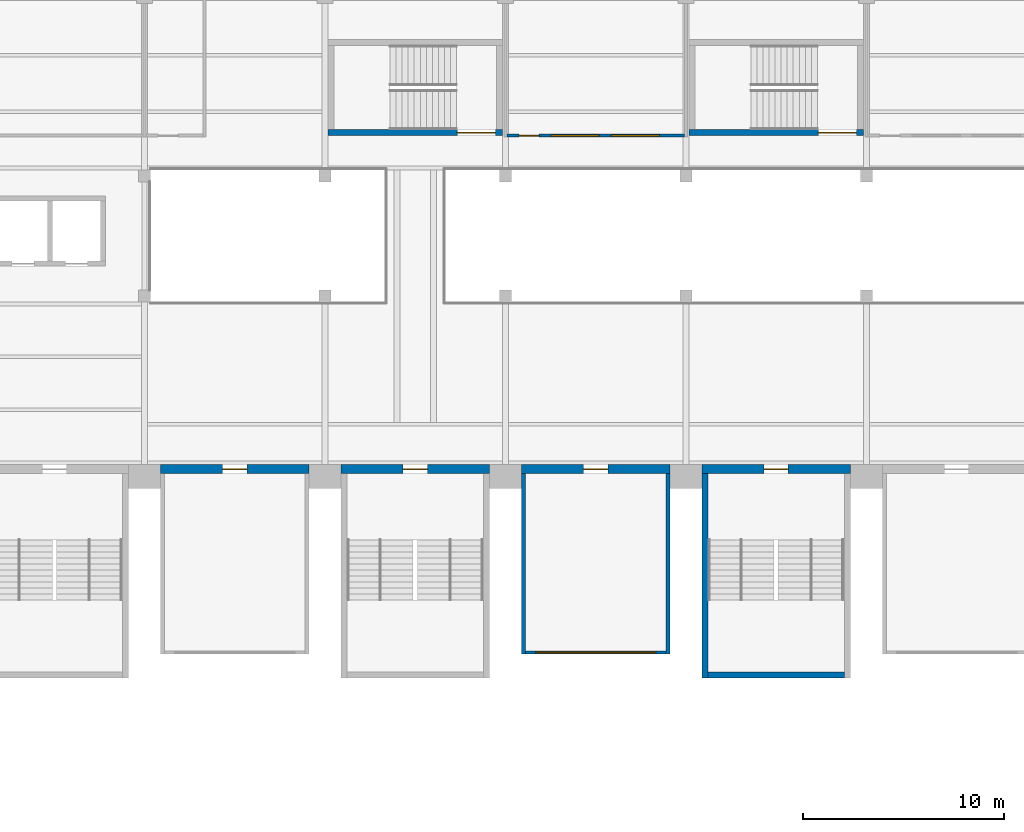
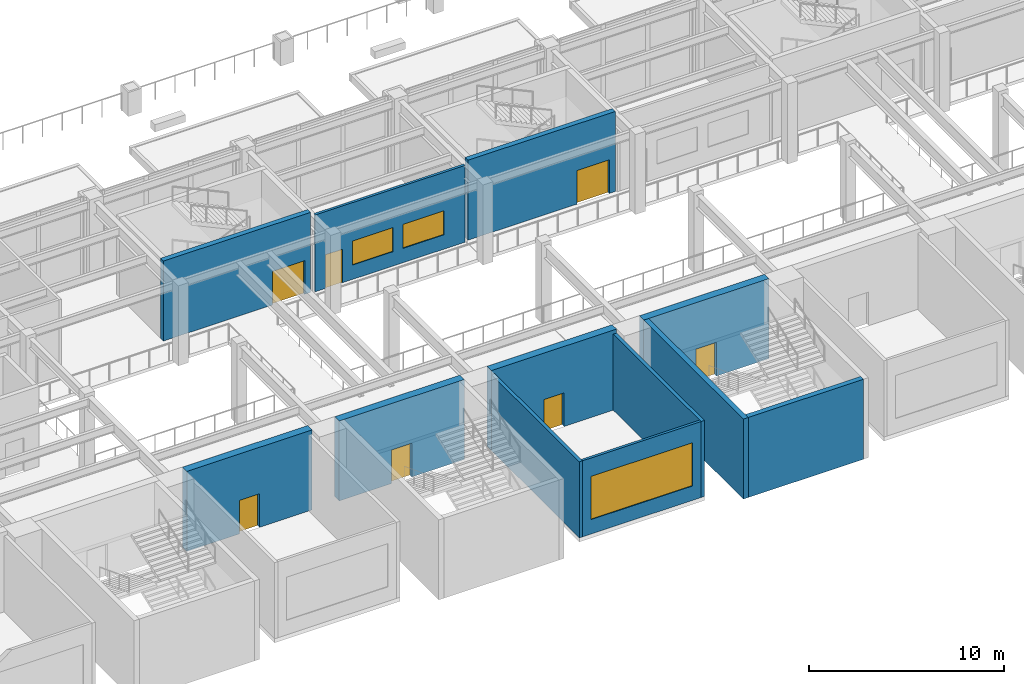
# One storey, part 37 of 67: 12 walls, 7 doors, 3 windows, 10 openings.
"""IFC4 building model written with IfcOpenShell, lengths in metres."""

from ifc_helpers import new_model, si_unit, direction, frame, frame_2d, origin, place, context, subcontext, project, spatial, rectangle, extrude, material, layer, layer_set, type_object, element, fill, save


model = new_model("IFC4")

# Units and contexts
model_context = context("Model", 3, precision=1e-05, world=origin(), true_north=direction((0.0, 1.0)))
body_context = subcontext(model_context, "Body", "Model", "MODEL_VIEW")
ifc_project = project(units=[si_unit("LENGTHUNIT", "METRE"), si_unit("AREAUNIT", "SQUARE_METRE"), si_unit("VOLUMEUNIT", "CUBIC_METRE"), si_unit("PLANEANGLEUNIT", "RADIAN"), si_unit("MASSUNIT", "GRAM", prefix="KILO")], contexts=[model_context])

# Site, building, storey
site_placement = place(None, origin())
site = spatial("IfcSite", under=ifc_project, at=site_placement, CompositionType="ELEMENT")
building_placement = place(site_placement, origin())
building = spatial("IfcBuilding", under=site, at=building_placement, Name="Aravalli Gate Trade Fair Centre", CompositionType="ELEMENT")
storey_placement = place(building_placement, frame((0.0, 0.0, 5.0)))
storey = spatial("IfcBuildingStorey", under=building, at=storey_placement, Name="L01", CompositionType="ELEMENT", Elevation=5.0)

# Wall, opening, door
ifc_material_1 = material(Name="Concrete M40", Category="concrete")
ifc_layer_1 = layer(ifc_material_1, 0.25, Name="Structural wall")
ifc_material_2 = material(Name="Ventilated air cavity")
ifc_layer_2 = layer(ifc_material_2, 0.10009765625, ventilated=True, Name="Ventilated cavity")
ifc_material_3 = material(Name="Terracotta rainscreen", Category="masonry")
ifc_layer_3 = layer(ifc_material_3, 0.10009765625, Name="Rainscreen cladding")
ifc_layer_set_1 = layer_set([ifc_layer_1, ifc_layer_2, ifc_layer_3], Name="Hall external wall 450")
wall_type_1 = type_object("IfcWallType", Name="Hall external wall 450", PredefinedType="SOLIDWALL", material=ifc_layer_set_1)
wall_1_placement = place(storey_placement, frame((24.800048828125, 109.375, 0.0), z_axis=(0.0, 0.0, 1.0), x_axis=(1.0, 0.0, 0.0)))
wall_1 = element("IfcWall", 1, at=wall_1_placement, inside=storey, type_object=wall_type_1, Name="Hall north wall bay 3 L01", PredefinedType="SOLIDWALL", context=body_context, shape_type="SweptSolid", body=[
    extrude(rectangle(XDim=7.39990234375, YDim=0.449951171875, at=frame_2d((3.699951171875, 0.0))), origin(), (0.0, 0.0, 1.0), 5.0),
])
opening_1_placement = place(wall_1_placement, frame((3.10009765625, 0.0, 0.0)))
opening_1 = element("IfcOpeningElement", 2, at=opening_1_placement, cuts=wall_1, Name="Opening H-L01-07", PredefinedType="OPENING", context=body_context, shape_type="SweptSolid", body=[
    extrude(rectangle(XDim=1.199951171875, YDim=2.10009765625, at=frame_2d((0.60009765625, 1.050048828125))), frame((0.0, 0.23486328125, 0.0), z_axis=(0.0, -1.0, 0.0), x_axis=(1.0, 0.0, 0.0)), (0.0, 0.0, 1.0), 0.469970703125),
])
ifc_material_4 = material(Name="Steel", Category="steel")
door_type_1 = type_object("IfcDoorType", Name="Meeting room door FD60", OperationType="SINGLE_SWING_LEFT", PredefinedType="DOOR", material=ifc_material_4)
door_1_placement = place(opening_1_placement, frame((1.199951171875, 0.0, 0.0), z_axis=(0.0, 0.0, 1.0), x_axis=(-1.0, 0.0, 0.0)))
door_1 = element("IfcDoor", 3, at=door_1_placement, inside=storey, type_object=door_type_1, Name="Meeting room 2 door", OperationType="SINGLE_SWING_RIGHT", OverallHeight=2.10009765625, OverallWidth=1.199951171875, PredefinedType="DOOR", context=body_context, shape_type="SweptSolid", body=[
    extrude(rectangle(XDim=1.199951171875, YDim=2.10009765625, at=frame_2d((0.60009765625, 1.050048828125))), frame((0.0, 0.02490234375, 0.0), z_axis=(0.0, -1.0, 0.0), x_axis=(1.0, 0.0, 0.0)), (0.0, 0.0, 1.0), 0.050048828125),
])
fill(opening_1, door_1)

wall_2_placement = place(storey_placement, frame((33.800048828125, 109.375, 0.0), z_axis=(0.0, 0.0, 1.0), x_axis=(1.0, 0.0, 0.0)))
wall_2 = element("IfcWall", 4, at=wall_2_placement, inside=storey, type_object=wall_type_1, Name="Hall north wall bay 4 L01", PredefinedType="SOLIDWALL", context=body_context, shape_type="SweptSolid", body=[
    extrude(rectangle(XDim=7.39990234375, YDim=0.449951171875, at=frame_2d((3.699951171875, 0.0))), origin(), (0.0, 0.0, 1.0), 5.0),
])
opening_2_placement = place(wall_2_placement, frame((3.10009765625, 0.0, 0.0)))
opening_2 = element("IfcOpeningElement", 5, at=opening_2_placement, cuts=wall_2, Name="Opening H-L01-02", PredefinedType="OPENING", context=body_context, shape_type="SweptSolid", body=[
    extrude(rectangle(XDim=1.199951171875, YDim=2.10009765625, at=frame_2d((0.60009765625, 1.050048828125))), frame((0.0, 0.23486328125, 0.0), z_axis=(0.0, -1.0, 0.0), x_axis=(1.0, 0.0, 0.0)), (0.0, 0.0, 1.0), 0.469970703125),
])
door_type_2 = type_object("IfcDoorType", Name="Hall stair gallery door FD120", OperationType="SINGLE_SWING_LEFT", PredefinedType="DOOR", material=ifc_material_4)
door_2_placement = place(opening_2_placement, frame((1.199951171875, 0.0, 0.0), z_axis=(0.0, 0.0, 1.0), x_axis=(-1.0, 0.0, 0.0)))
door_2 = element("IfcDoor", 6, at=door_2_placement, inside=storey, type_object=door_type_2, Name="Stair door ST-N04 L01 gallery", OperationType="SINGLE_SWING_LEFT", OverallHeight=2.10009765625, OverallWidth=1.199951171875, PredefinedType="DOOR", context=body_context, shape_type="SweptSolid", body=[
    extrude(rectangle(XDim=1.199951171875, YDim=2.10009765625, at=frame_2d((0.60009765625, 1.050048828125))), frame((0.0, 0.02490234375, 0.0), z_axis=(0.0, -1.0, 0.0), x_axis=(1.0, 0.0, 0.0)), (0.0, 0.0, 1.0), 0.050048828125),
])
fill(opening_2, door_2)

wall_3_placement = place(storey_placement, frame((42.800048828125, 109.375, 0.0), z_axis=(0.0, 0.0, 1.0), x_axis=(1.0, 0.0, 0.0)))
wall_3 = element("IfcWall", 7, at=wall_3_placement, inside=storey, type_object=wall_type_1, Name="Hall north wall bay 5 L01", PredefinedType="SOLIDWALL", context=body_context, shape_type="SweptSolid", body=[
    extrude(rectangle(XDim=7.39990234375, YDim=0.449951171875, at=frame_2d((3.699951171875, 0.0))), origin(), (0.0, 0.0, 1.0), 5.0),
])
opening_3_placement = place(wall_3_placement, frame((3.10009765625, 0.0, 0.0)))
opening_3 = element("IfcOpeningElement", 8, at=opening_3_placement, cuts=wall_3, Name="Opening H-L01-08", PredefinedType="OPENING", context=body_context, shape_type="SweptSolid", body=[
    extrude(rectangle(XDim=1.199951171875, YDim=2.10009765625, at=frame_2d((0.60009765625, 1.050048828125))), frame((0.0, 0.23486328125, 0.0), z_axis=(0.0, -1.0, 0.0), x_axis=(1.0, 0.0, 0.0)), (0.0, 0.0, 1.0), 0.469970703125),
])
door_3_placement = place(opening_3_placement, frame((1.199951171875, 0.0, 0.0), z_axis=(0.0, 0.0, 1.0), x_axis=(-1.0, 0.0, 0.0)))
door_3 = element("IfcDoor", 9, at=door_3_placement, inside=storey, type_object=door_type_1, Name="Meeting room 3 door", OperationType="SINGLE_SWING_LEFT", OverallHeight=2.10009765625, OverallWidth=1.199951171875, PredefinedType="DOOR", context=body_context, shape_type="SweptSolid", body=[
    extrude(rectangle(XDim=1.199951171875, YDim=2.10009765625, at=frame_2d((0.60009765625, 1.050048828125))), frame((0.0, 0.02490234375, 0.0), z_axis=(0.0, -1.0, 0.0), x_axis=(1.0, 0.0, 0.0)), (0.0, 0.0, 1.0), 0.050048828125),
])
fill(opening_3, door_3)

wall_4_placement = place(storey_placement, frame((51.800048828125, 109.375, 0.0), z_axis=(0.0, 0.0, 1.0), x_axis=(1.0, 0.0, 0.0)))
wall_4 = element("IfcWall", 10, at=wall_4_placement, inside=storey, type_object=wall_type_1, Name="Hall north wall bay 6 L01", PredefinedType="SOLIDWALL", context=body_context, shape_type="SweptSolid", body=[
    extrude(rectangle(XDim=7.39990234375, YDim=0.449951171875, at=frame_2d((3.699951171875, 0.0))), origin(), (0.0, 0.0, 1.0), 5.0),
])
opening_4_placement = place(wall_4_placement, frame((3.10009765625, 0.0, 0.0)))
opening_4 = element("IfcOpeningElement", 11, at=opening_4_placement, cuts=wall_4, Name="Opening H-L01-03", PredefinedType="OPENING", context=body_context, shape_type="SweptSolid", body=[
    extrude(rectangle(XDim=1.199951171875, YDim=2.10009765625, at=frame_2d((0.60009765625, 1.050048828125))), frame((0.0, 0.23486328125, 0.0), z_axis=(0.0, -1.0, 0.0), x_axis=(1.0, 0.0, 0.0)), (0.0, 0.0, 1.0), 0.469970703125),
])
door_4_placement = place(opening_4_placement, frame((1.199951171875, 0.0, 0.0), z_axis=(0.0, 0.0, 1.0), x_axis=(-1.0, 0.0, 0.0)))
door_4 = element("IfcDoor", 12, at=door_4_placement, inside=storey, type_object=door_type_2, Name="Stair door ST-N06 L01 gallery", OperationType="SINGLE_SWING_RIGHT", OverallHeight=2.10009765625, OverallWidth=1.199951171875, PredefinedType="DOOR", context=body_context, shape_type="SweptSolid", body=[
    extrude(rectangle(XDim=1.199951171875, YDim=2.10009765625, at=frame_2d((0.60009765625, 1.050048828125))), frame((0.0, 0.02490234375, 0.0), z_axis=(0.0, -1.0, 0.0), x_axis=(1.0, 0.0, 0.0)), (0.0, 0.0, 1.0), 0.050048828125),
])
fill(opening_4, door_4)

# Wall, opening, window
ifc_material_5 = material(Name="Steel E350 (350 MPa)", Category="steel")
ifc_layer_4 = layer(ifc_material_5, 0.14990234375)
ifc_layer_set_2 = layer_set([ifc_layer_4], Name="Steel E350 (350 MPa)")
wall_type_2 = type_object("IfcWallType", Name="Meeting room glazed front wall 150", PredefinedType="PARTITIONING", material=ifc_layer_set_2)
wall_5_placement = place(storey_placement, frame((43.0, 100.22509765625, 0.0), z_axis=(0.0, 0.0, 1.0), x_axis=(1.0, 0.0, 0.0)))
wall_5 = element("IfcWall", 13, at=wall_5_placement, inside=storey, type_object=wall_type_2, Name="Meeting room 3 front wall", PredefinedType="PARTITIONING", context=body_context, shape_type="SweptSolid", body=[
    extrude(rectangle(XDim=7.0, YDim=0.14990234375, at=frame_2d((3.5, 0.0))), origin(), (0.0, 0.0, 1.0), 4.75),
])
opening_5_placement = place(wall_5_placement, frame((0.5, 0.0, 0.89990234375)))
opening_5 = element("IfcOpeningElement", 14, at=opening_5_placement, cuts=wall_5, Name="Opening WM1", PredefinedType="OPENING", context=body_context, shape_type="SweptSolid", body=[
    extrude(rectangle(XDim=6.0, YDim=2.699951171875, at=frame_2d((3.0, 1.35009765625))), frame((0.0, 0.0849609375, 0.0), z_axis=(0.0, -1.0, 0.0), x_axis=(1.0, 0.0, 0.0)), (0.0, 0.0, 1.0), 0.169921875),
])
ifc_material_6 = material(Name="Glass in steel frame", Category="steel")
window_type_1 = type_object("IfcWindowType", Name="Meeting room window 6000x2700", PartitioningType="TRIPLE_PANEL_VERTICAL", PredefinedType="WINDOW", material=ifc_material_6)
window_1_placement = place(opening_5_placement, origin())
window_1 = element("IfcWindow", 15, at=window_1_placement, inside=storey, type_object=window_type_1, Name="Meeting room 3 window", OverallHeight=2.699951171875, OverallWidth=6.0, PartitioningType="TRIPLE_PANEL_VERTICAL", PredefinedType="WINDOW", context=body_context, shape_type="SweptSolid", body=[
    extrude(rectangle(XDim=6.0, YDim=2.699951171875, at=frame_2d((3.0, 1.35009765625))), frame((0.0, 0.030029296875, 0.0), z_axis=(0.0, -1.0, 0.0), x_axis=(1.0, 0.0, 0.0)), (0.0, 0.0, 1.0), 0.06005859375),
])
fill(opening_5, window_1)

# Walls
ifc_layer_5 = layer(ifc_material_1, 0.199951171875)
ifc_layer_set_3 = layer_set([ifc_layer_5], Name="Concrete M40")
wall_type_3 = type_object("IfcWallType", Name="Meeting room side wall RC 200", PredefinedType="SHEAR", material=ifc_layer_set_3)
for number, where, z_axis, x_axis, name in (
    (16, (42.89990234375, 100.14990234375, 0.0), (0.0, 0.0, 1.0), (0.0, 1.0, 0.0), "Meeting room 3 side wall W"),
    (17, (50.10009765625, 100.14990234375, 0.0), (0.0, 0.0, 1.0), (0.0, 1.0, 0.0), "Meeting room 3 side wall E"),
):
    element("IfcWall", number, at=place(storey_placement, frame(where, z_axis=z_axis, x_axis=x_axis)), inside=storey, type_object=wall_type_3, Name=name, PredefinedType="SHEAR", context=body_context, shape_type="SweptSolid", body=[
        extrude(rectangle(XDim=9.0, YDim=0.199951171875, at=frame_2d((4.5, 0.0))), origin(), (0.0, 0.0, 1.0), 4.75),
    ])

# Wall, openings, windows, door
ifc_material_7 = material(Name="Gypsum board")
ifc_layer_6 = layer(ifc_material_7, 0.02490234375, Name="Gypsum board lining")
ifc_material_8 = material(Name="Galvanised stud framing")
ifc_layer_7 = layer(ifc_material_8, 0.10009765625, Name="Stud framing")
ifc_layer_8 = layer(ifc_material_7, 0.02490234375, Name="Gypsum board lining")
ifc_layer_set_4 = layer_set([ifc_layer_6, ifc_layer_7, ifc_layer_8], Name="Partition wall 150")
wall_type_4 = type_object("IfcWallType", Name="Partition wall 150", PredefinedType="PARTITIONING", material=ifc_layer_set_4)
wall_6_placement = place(storey_placement, frame((42.074951171875, 126.0, 0.0), z_axis=(0.0, 0.0, 1.0), x_axis=(1.0, 0.0, 0.0)))
wall_6 = element("IfcWall", 18, at=wall_6_placement, inside=storey, type_object=wall_type_4, Name="Partition Meeting Room 1 south L01", PredefinedType="PARTITIONING", context=body_context, shape_type="SweptSolid", body=[
    extrude(rectangle(XDim=8.85009765625, YDim=0.14990234375, at=frame_2d((4.425048828125, 0.0))), origin(), (0.0, 0.0, 1.0), 4.800048828125),
])
opening_6_placement = place(wall_6_placement, frame((0.60009765625, 0.0, 0.0)))
opening_6 = element("IfcOpeningElement", 19, at=opening_6_placement, cuts=wall_6, Name="Opening C-L01-16", PredefinedType="OPENING", context=body_context, shape_type="SweptSolid", body=[
    extrude(rectangle(XDim=1.0, YDim=2.10009765625, at=frame_2d((0.5, 1.050048828125))), frame((0.0, 0.0849609375, 0.0), z_axis=(0.0, -1.0, 0.0), x_axis=(1.0, 0.0, 0.0)), (0.0, 0.0, 1.0), 0.169921875),
])
opening_7_placement = place(wall_6_placement, frame((2.199951171875, 0.0, 0.89990234375)))
opening_7 = element("IfcOpeningElement", 20, at=opening_7_placement, cuts=wall_6, Name="Opening WI1", PredefinedType="OPENING", context=body_context, shape_type="SweptSolid", body=[
    extrude(rectangle(XDim=2.39990234375, YDim=1.5, at=frame_2d((1.199951171875, 0.75))), frame((0.0, 0.0849609375, 0.0), z_axis=(0.0, -1.0, 0.0), x_axis=(1.0, 0.0, 0.0)), (0.0, 0.0, 1.0), 0.169921875),
])
opening_8_placement = place(wall_6_placement, frame((5.199951171875, 0.0, 0.89990234375)))
opening_8 = element("IfcOpeningElement", 21, at=opening_8_placement, cuts=wall_6, Name="Opening WI1", PredefinedType="OPENING", context=body_context, shape_type="SweptSolid", body=[
    extrude(rectangle(XDim=2.39990234375, YDim=1.5, at=frame_2d((1.199951171875, 0.75))), frame((0.0, 0.0849609375, 0.0), z_axis=(0.0, -1.0, 0.0), x_axis=(1.0, 0.0, 0.0)), (0.0, 0.0, 1.0), 0.169921875),
])
ifc_material_9 = material(Name="Glass, fire rated", Category="glass")
window_type_2 = type_object("IfcWindowType", Name="Interior glazed screen 2400 x 1500", PartitioningType="SINGLE_PANEL", PredefinedType="WINDOW", material=ifc_material_9)
window_2_placement = place(opening_7_placement, origin())
window_2 = element("IfcWindow", 22, at=window_2_placement, inside=storey, type_object=window_type_2, Name="Interior window Meeting Room 1 1 L01", OverallHeight=1.5, OverallWidth=2.39990234375, PartitioningType="SINGLE_PANEL", PredefinedType="WINDOW", context=body_context, shape_type="SweptSolid", body=[
    extrude(rectangle(XDim=2.39990234375, YDim=1.5, at=frame_2d((1.199951171875, 0.75))), frame((0.0, 0.030029296875, 0.0), z_axis=(0.0, -1.0, 0.0), x_axis=(1.0, 0.0, 0.0)), (0.0, 0.0, 1.0), 0.06005859375),
])
fill(opening_7, window_2)
window_3_placement = place(opening_8_placement, origin())
window_3 = element("IfcWindow", 23, at=window_3_placement, inside=storey, type_object=window_type_2, Name="Interior window Meeting Room 1 2 L01", OverallHeight=1.5, OverallWidth=2.39990234375, PartitioningType="SINGLE_PANEL", PredefinedType="WINDOW", context=body_context, shape_type="SweptSolid", body=[
    extrude(rectangle(XDim=2.39990234375, YDim=1.5, at=frame_2d((1.199951171875, 0.75))), frame((0.0, 0.030029296875, 0.0), z_axis=(0.0, -1.0, 0.0), x_axis=(1.0, 0.0, 0.0)), (0.0, 0.0, 1.0), 0.06005859375),
])
fill(opening_8, window_3)
ifc_material_10 = material(Name="Steel, fire rated", Category="steel")
door_type_3 = type_object("IfcDoorType", Name="Room door 1000 x 2100", OperationType="SINGLE_SWING_RIGHT", PredefinedType="NOTDEFINED", material=ifc_material_10)
door_5_placement = place(opening_6_placement, origin())
door_5 = element("IfcDoor", 24, at=door_5_placement, inside=storey, type_object=door_type_3, Name="Door Meeting Room 1 L01", OperationType="SINGLE_SWING_LEFT", OverallHeight=2.10009765625, OverallWidth=1.0, PredefinedType="NOTDEFINED", context=body_context, shape_type="SweptSolid", body=[
    extrude(rectangle(XDim=1.0, YDim=2.10009765625, at=frame_2d((0.5, 1.050048828125))), frame((0.0, 0.02490234375, 0.0), z_axis=(0.0, -1.0, 0.0), x_axis=(1.0, 0.0, 0.0)), (0.0, 0.0, 1.0), 0.050048828125),
])
fill(opening_6, door_5)

# Wall, opening, door
ifc_layer_9 = layer(ifc_material_1, 0.300048828125)
ifc_layer_set_5 = layer_set([ifc_layer_9], Name="Concrete M40")
wall_type_5 = type_object("IfcWallType", Name="RC core wall 300", PredefinedType="SHEAR", material=ifc_layer_set_5)
wall_7_placement = place(storey_placement, frame((33.14990234375, 126.14990234375, 0.0), z_axis=(0.0, 0.0, 1.0), x_axis=(1.0, 0.0, 0.0)))
wall_7 = element("IfcWall", 25, at=wall_7_placement, inside=storey, type_object=wall_type_5, Name="Core wall XAS L01", PredefinedType="SHEAR", context=body_context, shape_type="SweptSolid", body=[
    extrude(rectangle(XDim=8.7001953125, YDim=0.300048828125, at=frame_2d((4.35009765625, 0.0))), origin(), (0.0, 0.0, 1.0), 5.0),
])
opening_9_placement = place(wall_7_placement, frame((6.449951171875, 0.0, 0.0)))
opening_9 = element("IfcOpeningElement", 26, at=opening_9_placement, cuts=wall_7, Name="Opening C-L01-08", PredefinedType="OPENING", context=body_context, shape_type="SweptSolid", body=[
    extrude(rectangle(XDim=1.89990234375, YDim=2.10009765625, at=frame_2d((0.949951171875, 1.050048828125))), frame((0.0, 0.159912109375, 0.0), z_axis=(0.0, -1.0, 0.0), x_axis=(1.0, 0.0, 0.0)), (0.0, 0.0, 1.0), 0.320068359375),
])
door_type_4 = type_object("IfcDoorType", Name="Concourse stair door 1900 x 2100", OperationType="DOUBLE_DOOR_SINGLE_SWING", PredefinedType="NOTDEFINED", material=ifc_material_10)
door_6_placement = place(opening_9_placement, origin())
door_6 = element("IfcDoor", 27, at=door_6_placement, inside=storey, type_object=door_type_4, Name="Stair door XA L01", OperationType="DOUBLE_DOOR_SINGLE_SWING", OverallHeight=2.10009765625, OverallWidth=1.89990234375, PredefinedType="NOTDEFINED", context=body_context, shape_type="SweptSolid", body=[
    extrude(rectangle(XDim=1.89990234375, YDim=2.10009765625, at=frame_2d((0.949951171875, 1.050048828125))), frame((0.0, 0.02490234375, 0.0), z_axis=(0.0, -1.0, 0.0), x_axis=(1.0, 0.0, 0.0)), (0.0, 0.0, 1.0), 0.050048828125),
])
fill(opening_9, door_6)

wall_8_placement = place(storey_placement, frame((51.14990234375, 126.14990234375, 0.0), z_axis=(0.0, 0.0, 1.0), x_axis=(1.0, 0.0, 0.0)))
wall_8 = element("IfcWall", 28, at=wall_8_placement, inside=storey, type_object=wall_type_5, Name="Core wall XBS L01", PredefinedType="SHEAR", context=body_context, shape_type="SweptSolid", body=[
    extrude(rectangle(XDim=8.7001953125, YDim=0.300048828125, at=frame_2d((4.35009765625, 0.0))), origin(), (0.0, 0.0, 1.0), 5.0),
])
opening_10_placement = place(wall_8_placement, frame((6.449951171875, 0.0, 0.0)))
opening_10 = element("IfcOpeningElement", 29, at=opening_10_placement, cuts=wall_8, Name="Opening C-L01-09", PredefinedType="OPENING", context=body_context, shape_type="SweptSolid", body=[
    extrude(rectangle(XDim=1.89990234375, YDim=2.10009765625, at=frame_2d((0.949951171875, 1.050048828125))), frame((0.0, 0.159912109375, 0.0), z_axis=(0.0, -1.0, 0.0), x_axis=(1.0, 0.0, 0.0)), (0.0, 0.0, 1.0), 0.320068359375),
])
door_7_placement = place(opening_10_placement, origin())
door_7 = element("IfcDoor", 30, at=door_7_placement, inside=storey, type_object=door_type_4, Name="Stair door XB L01", OperationType="DOUBLE_DOOR_SINGLE_SWING", OverallHeight=2.10009765625, OverallWidth=1.89990234375, PredefinedType="NOTDEFINED", context=body_context, shape_type="SweptSolid", body=[
    extrude(rectangle(XDim=1.89990234375, YDim=2.10009765625, at=frame_2d((0.949951171875, 1.050048828125))), frame((0.0, 0.02490234375, 0.0), z_axis=(0.0, -1.0, 0.0), x_axis=(1.0, 0.0, 0.0)), (0.0, 0.0, 1.0), 0.050048828125),
])
fill(opening_10, door_7)

# Walls
ifc_layer_10 = layer(ifc_material_1, 0.300048828125)
ifc_layer_set_6 = layer_set([ifc_layer_10], Name="Concrete M40")
wall_type_6 = type_object("IfcWallType", Name="Stair tower wall RC 300", PredefinedType="SHEAR", material=ifc_layer_set_6)
wall_9_placement = place(storey_placement, frame((51.949951171875, 109.14990234375, 0.0), z_axis=(0.0, 0.0, 1.0), x_axis=(0.0, -1.0, 0.0)))
element("IfcWall", 31, at=wall_9_placement, inside=storey, type_object=wall_type_6, Name="Stair tower N06 wall W L01", PredefinedType="SHEAR", context=body_context, shape_type="SweptSolid", body=[
    extrude(rectangle(XDim=10.199951171875, YDim=0.300048828125, at=frame_2d((5.10009765625, 0.0))), origin(), (0.0, 0.0, 1.0), 5.0),
])
wall_10_placement = place(storey_placement, frame((52.10009765625, 99.10009765625, 0.0), z_axis=(0.0, 0.0, 1.0), x_axis=(1.0, 0.0, 0.0)))
element("IfcWall", 32, at=wall_10_placement, inside=storey, type_object=wall_type_6, Name="Stair tower N06 wall F L01", PredefinedType="SHEAR", context=body_context, shape_type="SweptSolid", body=[
    extrude(rectangle(XDim=6.7998046875, YDim=0.300048828125, at=frame_2d((3.39990234375, 0.0))), origin(), (0.0, 0.0, 1.0), 5.0),
])

save(model, "model.ifc")
